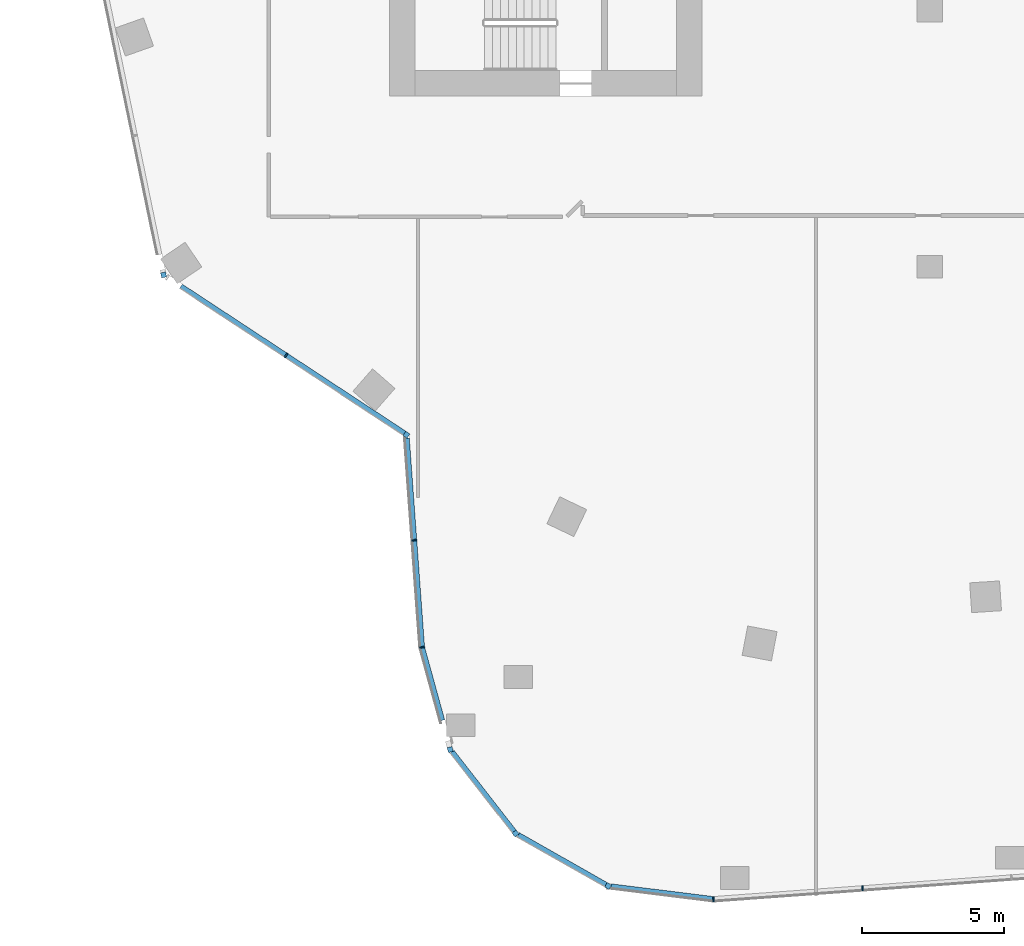
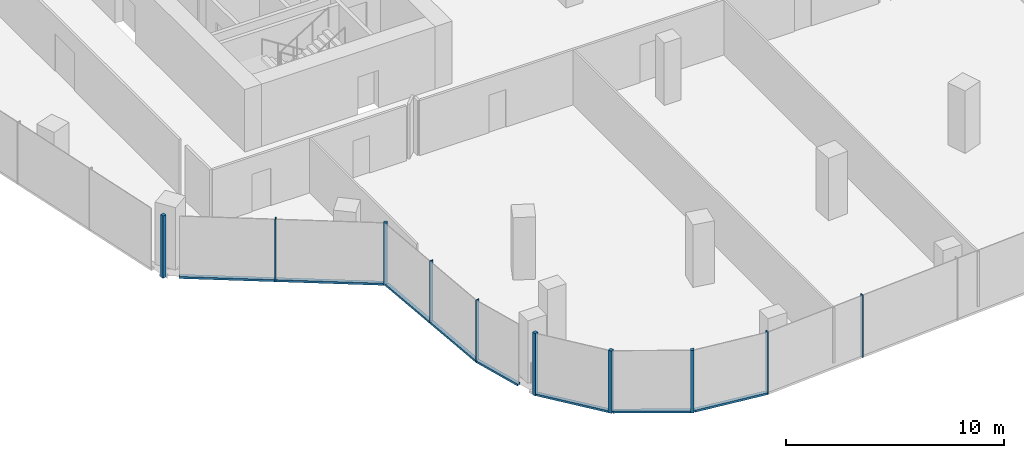
# One storey, part 2 of 24: 16 members, 8 elements without a shape of their own.
"""IFC4 building model written with IfcOpenShell, lengths in metres."""

from ifc_helpers import new_model, si_unit, direction, frame, origin, origin_2d, place, context, subcontext, project, spatial, rectangle, extrude, material, material_profile, profile_set, type_object, element, aggregate, save


model = new_model("IFC4")

# Units and contexts
model_context = context("Model", 3, precision=1e-05, world=origin(), true_north=direction((0.0, 1.0)))
body_context = subcontext(model_context, "Body", "Model", "MODEL_VIEW")
ifc_project = project(units=[si_unit("LENGTHUNIT", "METRE"), si_unit("AREAUNIT", "SQUARE_METRE"), si_unit("VOLUMEUNIT", "CUBIC_METRE"), si_unit("PLANEANGLEUNIT", "RADIAN"), si_unit("MASSUNIT", "GRAM", prefix="KILO")], contexts=[model_context])

# Site, building, storey
site_placement = place(None, origin())
site = spatial("IfcSite", under=ifc_project, at=site_placement, CompositionType="ELEMENT")
building_placement = place(site_placement, origin())
building = spatial("IfcBuilding", under=site, at=building_placement, Name="Orlundy Tower", CompositionType="ELEMENT")
storey_placement = place(building_placement, frame((0.0, 0.0, 242.5)))
storey = spatial("IfcBuildingStorey", under=building, at=storey_placement, Name="L64", CompositionType="ELEMENT", Elevation=242.5)

# Curtain wall, member
ifc_material_1 = material(Name="Aluminium bronze anodised", Category="aluminium")
curtain_wall_type = type_object("IfcCurtainWallType", Name="CW1 wall", PredefinedType="NOTDEFINED", material=ifc_material_1)
curtain_wall_1_placement = place(storey_placement, origin())
curtain_wall_1 = element("IfcCurtainWall", 1, at=curtain_wall_1_placement, inside=storey, type_object=curtain_wall_type, Name="CW1 run 09", PredefinedType="NOTDEFINED")
ifc_material_2 = material(Name="Aluminium bronze anodised", Category="aluminium")
ifc_material_profile_1 = material_profile(ifc_material_2, rectangle(XDim=0.179931640625, YDim=0.179931640625, at=origin_2d()), Name="CW1 corner post 180x180")
ifc_profile_set_1 = profile_set([ifc_material_profile_1], Name="Aluminium bronze anodised")
member_type_1 = type_object("IfcMemberType", Name="CW1 corner post 180x180", PredefinedType="MULLION", material=ifc_profile_set_1)
member_1_placement = place(storey_placement, frame((-11.309814453125, -39.7880859375, -0.39990234375), z_axis=(0.0, 0.0, 1.0), x_axis=(-0.493754430095, -0.869601381531, 0.0)))
member_1 = element("IfcMember", 2, at=member_1_placement, type_object=member_type_1, Name="CW1 mullion 15", PredefinedType="MULLION", context=body_context, shape_type="SweptSolid", body=[
    extrude(rectangle(XDim=0.179931640625, YDim=0.179931640625, at=origin_2d()), origin(), (0.0, 0.0, 1.0), 3.5),
])

curtain_wall_2_placement = place(storey_placement, origin())
curtain_wall_2 = element("IfcCurtainWall", 3, at=curtain_wall_2_placement, inside=storey, type_object=curtain_wall_type, Name="CW1 run 010", PredefinedType="NOTDEFINED")
member_2_placement = place(storey_placement, frame((-14.56396484375, -37.9404296875, -0.39990234375), z_axis=(0.0, 0.0, 1.0), x_axis=(-0.788858043661, -0.614575452611, 0.0)))
member_2 = element("IfcMember", 4, at=member_2_placement, type_object=member_type_1, Name="CW1 mullion 16", PredefinedType="MULLION", context=body_context, shape_type="SweptSolid", body=[
    extrude(rectangle(XDim=0.179931640625, YDim=0.179931640625, at=origin_2d()), origin(), (0.0, 0.0, 1.0), 3.5),
])

curtain_wall_3_placement = place(storey_placement, origin())
curtain_wall_3 = element("IfcCurtainWall", 5, at=curtain_wall_3_placement, inside=storey, type_object=curtain_wall_type, Name="CW1 run 011", PredefinedType="NOTDEFINED")
member_3_placement = place(storey_placement, frame((-16.864013671875, -34.98828125, -0.39990234375), z_axis=(0.0, 0.0, 1.0), x_axis=(-0.964037920682, -0.265764722051, 0.0)))
member_3 = element("IfcMember", 6, at=member_3_placement, type_object=member_type_1, Name="CW1 mullion 17", PredefinedType="MULLION", context=body_context, shape_type="SweptSolid", body=[
    extrude(rectangle(XDim=0.179931640625, YDim=0.179931640625, at=origin_2d()), origin(), (0.0, 0.0, 1.0), 3.5),
])

curtain_wall_4_placement = place(storey_placement, origin())
curtain_wall_4 = element("IfcCurtainWall", 7, at=curtain_wall_4_placement, inside=storey, type_object=curtain_wall_type, Name="CW1 run 013", PredefinedType="NOTDEFINED")
member_4_placement = place(storey_placement, frame((-18.401611328125, -23.911865234375, -0.39990234375), z_axis=(0.0, 0.0, 1.0), x_axis=(-0.54952678446, -0.835476099694, 0.0)))
member_4 = element("IfcMember", 8, at=member_4_placement, type_object=member_type_1, Name="CW1 mullion 20", PredefinedType="MULLION", context=body_context, shape_type="SweptSolid", body=[
    extrude(rectangle(XDim=0.179931640625, YDim=0.179931640625, at=origin_2d()), origin(), (0.0, 0.0, 1.0), 3.5),
])

curtain_wall_5_placement = place(storey_placement, origin())
curtain_wall_5 = element("IfcCurtainWall", 9, at=curtain_wall_5_placement, inside=storey, type_object=curtain_wall_type, Name="CW1 run 014", PredefinedType="NOTDEFINED")
member_5_placement = place(storey_placement, frame((-26.947509765625, -18.290771484375, -0.39990234375), z_axis=(0.0, 0.0, 1.0), x_axis=(-0.979337428215, -0.202233038095, 0.0)))
member_5 = element("IfcMember", 10, at=member_5_placement, type_object=member_type_1, Name="CW1 mullion 22", PredefinedType="MULLION", context=body_context, shape_type="SweptSolid", body=[
    extrude(rectangle(XDim=0.179931640625, YDim=0.179931640625, at=origin_2d()), origin(), (0.0, 0.0, 1.0), 3.5),
])
aggregate(curtain_wall_5, [member_5])

curtain_wall_6_placement = place(storey_placement, origin())
curtain_wall_6 = element("IfcCurtainWall", 11, at=curtain_wall_6_placement, inside=storey, type_object=curtain_wall_type, Name="CW1 run 07", PredefinedType="NOTDEFINED")
ifc_material_3 = material(Name="Aluminium bronze anodised", Category="aluminium")
ifc_material_profile_2 = material_profile(ifc_material_3, rectangle(XDim=0.179931640625, YDim=0.050048828125, at=origin_2d()), Name="CW1 mullion 50x180")
ifc_profile_set_2 = profile_set([ifc_material_profile_2], Name="Aluminium bronze anodised")
member_type_2 = type_object("IfcMemberType", Name="CW1 mullion 50x180", PredefinedType="MULLION", material=ifc_profile_set_2)
member_6_placement = place(storey_placement, frame((-2.359375, -39.8671875, -0.39990234375), z_axis=(0.0, 0.0, 1.0), x_axis=(0.072668329988, -0.997356161969, 0.0)))
member_6 = element("IfcMember", 12, at=member_6_placement, type_object=member_type_2, Name="CW1 mullion 13", PredefinedType="MULLION", context=body_context, shape_type="SweptSolid", body=[
    extrude(rectangle(XDim=0.179931640625, YDim=0.050048828125, at=origin_2d()), origin(), (0.0, 0.0, 1.0), 3.5),
])
aggregate(curtain_wall_6, [member_6])

curtain_wall_7_placement = place(storey_placement, origin())
curtain_wall_7 = element("IfcCurtainWall", 13, at=curtain_wall_7_placement, inside=storey, type_object=curtain_wall_type, Name="CW1 run 08", PredefinedType="NOTDEFINED")
member_7_placement = place(storey_placement, frame((-7.604248046875, -40.24951171875, -0.39990234375), z_axis=(0.0, 0.0, 1.0), x_axis=(-0.025557574662, -0.999673351839, 0.0)))
member_7 = element("IfcMember", 14, at=member_7_placement, type_object=member_type_2, Name="CW1 mullion 14", PredefinedType="MULLION", context=body_context, shape_type="SweptSolid", body=[
    extrude(rectangle(XDim=0.179931640625, YDim=0.050048828125, at=origin_2d()), origin(), (0.0, 0.0, 1.0), 3.5),
])

# Curtain wall, members
curtain_wall_8_placement = place(storey_placement, origin())
curtain_wall_8 = element("IfcCurtainWall", 15, at=curtain_wall_8_placement, inside=storey, type_object=curtain_wall_type, Name="CW1 run 012", PredefinedType="NOTDEFINED")
member_8_placement = place(storey_placement, frame((-17.856201171875, -31.389404296875, -0.39990234375), z_axis=(0.0, 0.0, 1.0), x_axis=(-0.985431391159, -0.170073435074, 0.0)))
member_8 = element("IfcMember", 16, at=member_8_placement, type_object=member_type_2, Name="CW1 mullion 18", PredefinedType="MULLION", context=body_context, shape_type="SweptSolid", body=[
    extrude(rectangle(XDim=0.179931640625, YDim=0.050048828125, at=origin_2d()), origin(), (0.0, 0.0, 1.0), 3.5),
])
member_9_placement = place(storey_placement, frame((-18.130859375, -27.6240234375, -0.39990234375), z_axis=(0.0, 0.0, 1.0), x_axis=(-0.997350428587, -0.072746976548, 0.0)))
member_9 = element("IfcMember", 17, at=member_9_placement, type_object=member_type_2, Name="CW1 mullion 19", PredefinedType="MULLION", context=body_context, shape_type="SweptSolid", body=[
    extrude(rectangle(XDim=0.179931640625, YDim=0.050048828125, at=origin_2d()), origin(), (0.0, 0.0, 1.0), 3.5),
])

# Member
member_10_placement = place(storey_placement, frame((-22.640380859375, -21.123779296875, -0.39990234375), z_axis=(0.0, 0.0, 1.0), x_axis=(-0.54952678446, -0.835476099694, 0.0)))
member_10 = element("IfcMember", 18, at=member_10_placement, type_object=member_type_2, Name="CW1 mullion 21", PredefinedType="MULLION", context=body_context, shape_type="SweptSolid", body=[
    extrude(rectangle(XDim=0.179931640625, YDim=0.050048828125, at=origin_2d()), origin(), (0.0, 0.0, 1.0), 3.5),
])

ifc_material_4 = material(Name="Aluminium bronze anodised", Category="aluminium")
ifc_material_profile_3 = material_profile(ifc_material_4, rectangle(XDim=0.179931640625, YDim=0.1201171875, at=origin_2d()), Name="CW1 transom 180x120")
ifc_profile_set_3 = profile_set([ifc_material_profile_3], Name="Aluminium bronze anodised")
member_type_3 = type_object("IfcMemberType", Name="CW1 transom 180x120", PredefinedType="USERDEFINED", material=ifc_profile_set_3)
member_11_placement = place(storey_placement, frame((-7.629150390625, -40.246337890625, -0.340087890625), z_axis=(-0.992336005458, 0.123568815938, 0.0), x_axis=(-0.123568815938, -0.992336005458, 0.0)))
member_11 = element("IfcMember", 19, at=member_11_placement, type_object=member_type_3, Name="CW1 transom", ObjectType="TRANSOM", PredefinedType="USERDEFINED", context=body_context, shape_type="SweptSolid", body=[
    extrude(rectangle(XDim=0.179931640625, YDim=0.1201171875, at=origin_2d()), origin(), (0.0, 0.0, 1.0), 3.611572265625),
])

aggregate(curtain_wall_7, [member_7, member_11])

member_12_placement = place(storey_placement, frame((-11.38818359375, -39.74365234375, -0.340087890625), z_axis=(-0.869596650944, 0.493762761523, 0.0), x_axis=(-0.493762761523, -0.869596650944, 0.0)))
member_12 = element("IfcMember", 20, at=member_12_placement, type_object=member_type_3, Name="CW1 transom", ObjectType="TRANSOM", PredefinedType="USERDEFINED", context=body_context, shape_type="SweptSolid", body=[
    extrude(rectangle(XDim=0.179931640625, YDim=0.1201171875, at=origin_2d()), origin(), (0.0, 0.0, 1.0), 3.5546875),
])

aggregate(curtain_wall_1, [member_1, member_12])

member_13_placement = place(storey_placement, frame((-14.619384765625, -37.869384765625, -0.340087890625), z_axis=(-0.614567998648, 0.788863850762, 0.0), x_axis=(-0.788863850762, -0.614567998648, 0.0)))
member_13 = element("IfcMember", 21, at=member_13_placement, type_object=member_type_3, Name="CW1 transom", ObjectType="TRANSOM", PredefinedType="USERDEFINED", context=body_context, shape_type="SweptSolid", body=[
    extrude(rectangle(XDim=0.179931640625, YDim=0.1201171875, at=origin_2d()), origin(), (0.0, 0.0, 1.0), 3.554931640625),
])

aggregate(curtain_wall_2, [member_2, member_13])

member_14_placement = place(storey_placement, frame((-17.14697265625, -33.961669921875, -0.340087890625), z_axis=(-0.265742522211, 0.96404404043, 0.0), x_axis=(-0.96404404043, -0.265742522211, 0.0)))
member_14 = element("IfcMember", 22, at=member_14_placement, type_object=member_type_3, Name="CW1 transom", ObjectType="TRANSOM", PredefinedType="USERDEFINED", context=body_context, shape_type="SweptSolid", body=[
    extrude(rectangle(XDim=0.179931640625, YDim=0.1201171875, at=origin_2d()), origin(), (0.0, 0.0, 1.0), 2.64306640625),
])

aggregate(curtain_wall_3, [member_3, member_14])

member_15_placement = place(storey_placement, frame((-17.85791015625, -31.3642578125, -0.340087890625), z_axis=(-0.072755906506, 0.997349777194, 0.0), x_axis=(-0.997349777194, -0.072755906506, 0.0)))
member_15 = element("IfcMember", 23, at=member_15_placement, type_object=member_type_3, Name="CW1 transom", ObjectType="TRANSOM", PredefinedType="USERDEFINED", context=body_context, shape_type="SweptSolid", body=[
    extrude(rectangle(XDim=0.179931640625, YDim=0.1201171875, at=origin_2d()), origin(), (0.0, 0.0, 1.0), 7.35888671875),
])

aggregate(curtain_wall_8, [member_8, member_9, member_15])

member_16_placement = place(storey_placement, frame((-18.476806640625, -23.8623046875, -0.340087890625), z_axis=(-0.835475394817, 0.549527856123, 0.0), x_axis=(-0.549527856123, -0.835475394817, 0.0)))
member_16 = element("IfcMember", 24, at=member_16_placement, type_object=member_type_3, Name="CW1 transom", ObjectType="TRANSOM", PredefinedType="USERDEFINED", context=body_context, shape_type="SweptSolid", body=[
    extrude(rectangle(XDim=0.179931640625, YDim=0.1201171875, at=origin_2d()), origin(), (0.0, 0.0, 1.0), 9.408935546875),
])

aggregate(curtain_wall_4, [member_4, member_10, member_16])

save(model, "model.ifc")
